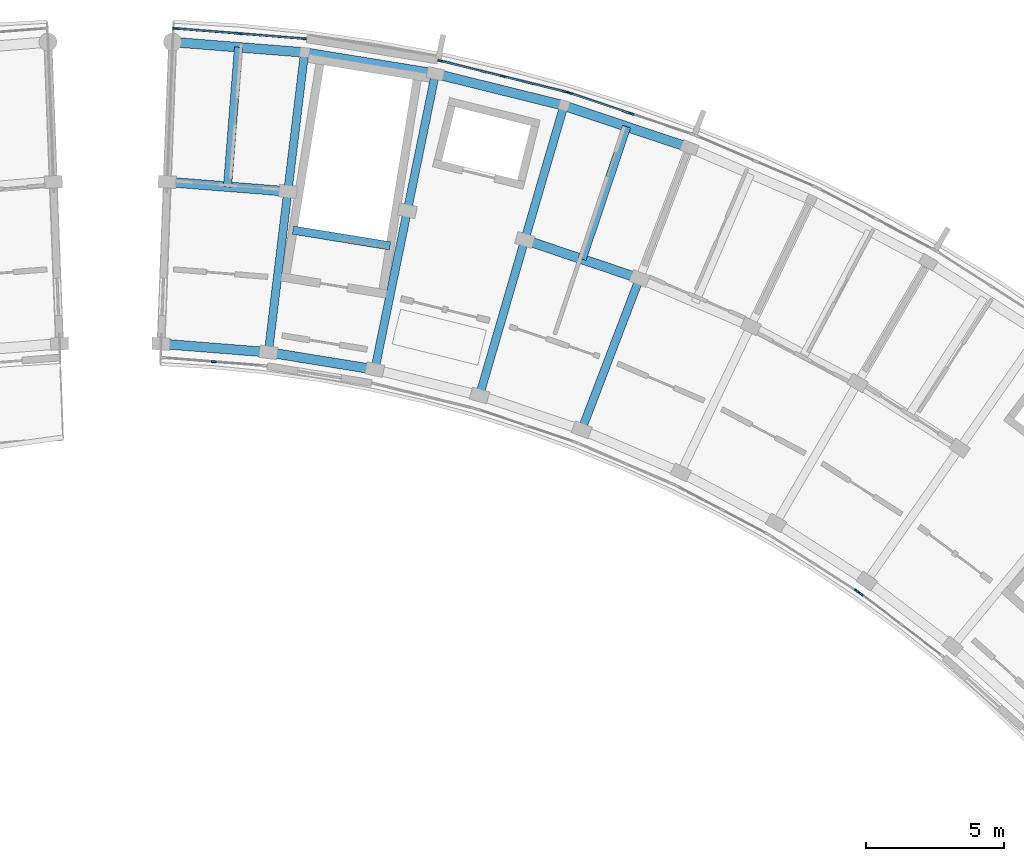
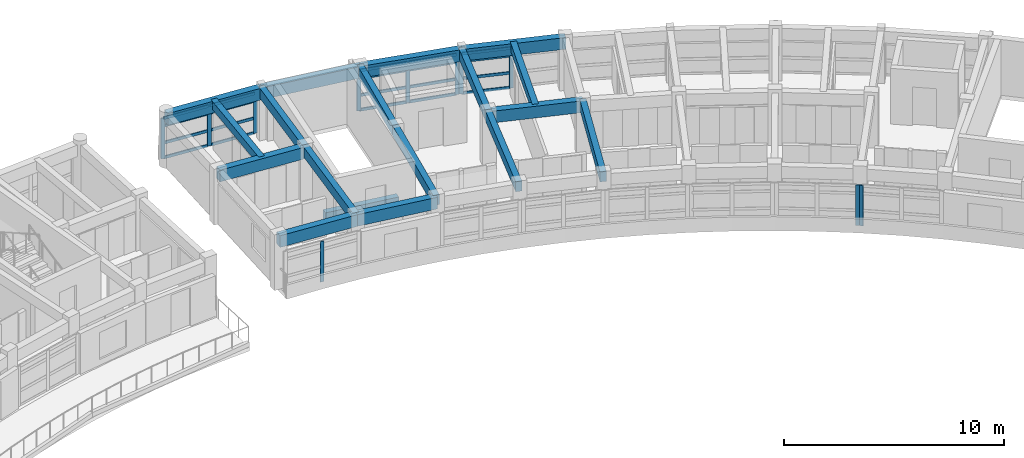
# One storey, part 6 of 23: 31 members, 18 beams, 6 elements without a shape of their own.
"""IFC4 building model written with IfcOpenShell, lengths in metres."""

from ifc_helpers import new_model, si_unit, direction, frame, origin, origin_2d, place, context, subcontext, project, spatial, rectangle, extrude, material, material_profile, profile_set, type_object, element, aggregate, save


model = new_model("IFC4")

# Units and contexts
model_context = context("Model", 3, precision=1e-05, world=origin(), true_north=direction((0.0, 1.0)))
body_context = subcontext(model_context, "Body", "Model", "MODEL_VIEW")
ifc_project = project(units=[si_unit("LENGTHUNIT", "METRE"), si_unit("AREAUNIT", "SQUARE_METRE"), si_unit("VOLUMEUNIT", "CUBIC_METRE"), si_unit("PLANEANGLEUNIT", "RADIAN"), si_unit("MASSUNIT", "GRAM", prefix="KILO")], contexts=[model_context])

# Site, building, storey
site_placement = place(None, origin())
site = spatial("IfcSite", under=ifc_project, at=site_placement, CompositionType="ELEMENT")
building_placement = place(site_placement, origin())
building = spatial("IfcBuilding", under=site, at=building_placement, Name="Zimvara Arc Housing Community", CompositionType="ELEMENT")
storey_placement = place(building_placement, frame((0.0, 0.0, 36.0)))
storey = spatial("IfcBuildingStorey", under=building, at=storey_placement, Name="L11", CompositionType="ELEMENT", Elevation=36.0)

# Beams
ifc_material_1 = material(Name="Concrete C40/50", Category="concrete")
ifc_material_profile_1 = material_profile(ifc_material_1, rectangle(XDim=0.300048828125, YDim=0.449951171875, at=origin_2d()), Name="RC 300x450")
ifc_profile_set_1 = profile_set([ifc_material_profile_1], Name="Concrete C40/50")
beam_type_1 = type_object("IfcBeamType", Name="BM-RC-300x450", PredefinedType="JOIST", material=ifc_profile_set_1)
for number, where, z_axis, x_axis, name in (
    (1, (49.2548828125, 98.08642578125, 2.695068359375), (0.079171686291, 0.99686099537, 0.0), (-0.99686099537, 0.079171686291, 0.0), "bm:blkB:L11:joist:b0"),
    (2, (62.1279296875, 95.453369140625, 2.695068359375), (0.318607669836, 0.947886677152, 0.0), (-0.947886677152, 0.318607669836, 0.0), "bm:blkB:L11:joist:b3"),
):
    element("IfcBeam", number, at=place(storey_placement, frame(where, z_axis=z_axis, x_axis=x_axis)), inside=storey, type_object=beam_type_1, Name=name, PredefinedType="JOIST", context=body_context, shape_type="SweptSolid", body=[
        extrude(rectangle(XDim=0.300048828125, YDim=0.449951171875, at=origin_2d()), origin(), (0.0, 0.0, 1.0), 5.07568359375),
    ])
ifc_material_2 = material(Name="Concrete C40/50", Category="concrete")
ifc_material_profile_2 = material_profile(ifc_material_2, rectangle(XDim=0.300048828125, YDim=0.5, at=origin_2d()), Name="RC 300x500")
ifc_profile_set_2 = profile_set([ifc_material_profile_2], Name="Concrete C40/50")
beam_type_2 = type_object("IfcBeamType", Name="BM-RC-300x500", PredefinedType="BEAM", material=ifc_profile_set_2)
beam_1_placement = place(storey_placement, frame((55.15771484375, 95.93701171875, -0.25), z_axis=(-0.987080057935, 0.160227835371, 0.0), x_axis=(-0.160227835371, -0.987080057935, 0.0)))
element("IfcBeam", 3, at=beam_1_placement, inside=storey, type_object=beam_type_2, Name="bm:stair_trim:ST-B1:L11:near", PredefinedType="BEAM", context=body_context, shape_type="SweptSolid", body=[
    extrude(rectangle(XDim=0.300048828125, YDim=0.5, at=origin_2d()), origin(), (0.0, 0.0, 1.0), 3.570068359375),
])
ifc_material_3 = material(Name="Concrete C40/50", Category="concrete")
ifc_material_profile_3 = material_profile(ifc_material_3, rectangle(XDim=0.300048828125, YDim=0.550048828125, at=origin_2d()), Name="RC 300x550")
ifc_profile_set_3 = profile_set([ifc_material_profile_3], Name="Concrete C40/50")
beam_type_3 = type_object("IfcBeamType", Name="BM-RC-300x550", PredefinedType="BEAM", material=ifc_profile_set_3)
beam_2_placement = place(storey_placement, frame((50.740234375, 92.074951171875, 2.64501953125), z_axis=(0.119827921695, 0.992794676246, 0.0), x_axis=(-0.992794676246, 0.119827921695, 0.0)))
element("IfcBeam", 4, at=beam_2_placement, inside=storey, type_object=beam_type_3, Name="bm:blkB:L11:rad:b1:r12", PredefinedType="BEAM", context=body_context, shape_type="SweptSolid", body=[
    extrude(rectangle(XDim=0.300048828125, YDim=0.550048828125, at=origin_2d()), origin(), (0.0, 0.0, 1.0), 5.880126953125),
])
beam_3_placement = place(storey_placement, frame((51.44482421875, 97.91259765625, 2.64501953125), z_axis=(0.119762990499, 0.99280251113, 0.0), x_axis=(-0.99280251113, 0.119762990499, 0.0)))
element("IfcBeam", 5, at=beam_3_placement, inside=storey, type_object=beam_type_3, Name="bm:blkB:L11:rad:b1:r23", PredefinedType="BEAM", context=body_context, shape_type="SweptSolid", body=[
    extrude(rectangle(XDim=0.300048828125, YDim=0.550048828125, at=origin_2d()), origin(), (0.0, 0.0, 1.0), 5.080078125),
])
beam_4_placement = place(storey_placement, frame((54.602783203125, 91.447998046875, 2.64501953125), z_axis=(0.200417973989, 0.979710485655, 0.0), x_axis=(-0.979710485655, 0.200417973989, 0.0)))
element("IfcBeam", 6, at=beam_4_placement, inside=storey, type_object=beam_type_3, Name="bm:blkB:L11:rad:b2:r12", PredefinedType="BEAM", context=body_context, shape_type="SweptSolid", body=[
    extrude(rectangle(XDim=0.300048828125, YDim=0.550048828125, at=origin_2d()), origin(), (0.0, 0.0, 1.0), 5.880126953125),
])
beam_5_placement = place(storey_placement, frame((55.78125, 97.208740234375, 2.64501953125), z_axis=(0.200411962389, 0.97971171542, 0.0), x_axis=(-0.97971171542, 0.200411962389, 0.0)))
element("IfcBeam", 7, at=beam_5_placement, inside=storey, type_object=beam_type_3, Name="bm:blkB:L11:rad:b2:r23", PredefinedType="BEAM", context=body_context, shape_type="SweptSolid", body=[
    extrude(rectangle(XDim=0.300048828125, YDim=0.550048828125, at=origin_2d()), origin(), (0.0, 0.0, 1.0), 5.079833984375),
])
beam_6_placement = place(storey_placement, frame((58.4013671875, 90.5078125, 2.64501953125), z_axis=(0.27967473749, 0.960094808449, 0.0), x_axis=(-0.960094808449, 0.27967473749, 0.0)))
element("IfcBeam", 8, at=beam_6_placement, inside=storey, type_object=beam_type_3, Name="bm:blkB:L11:rad:b3:r12", PredefinedType="BEAM", context=body_context, shape_type="SweptSolid", body=[
    extrude(rectangle(XDim=0.300048828125, YDim=0.550048828125, at=origin_2d()), origin(), (0.0, 0.0, 1.0), 5.880126953125),
])
beam_7_placement = place(storey_placement, frame((60.0458984375, 96.1533203125, 2.64501953125), z_axis=(0.279662254096, 0.960098444762, 0.0), x_axis=(-0.960098444762, 0.279662254096, 0.0)))
element("IfcBeam", 9, at=beam_7_placement, inside=storey, type_object=beam_type_3, Name="bm:blkB:L11:rad:b3:r23", PredefinedType="BEAM", context=body_context, shape_type="SweptSolid", body=[
    extrude(rectangle(XDim=0.300048828125, YDim=0.550048828125, at=origin_2d()), origin(), (0.0, 0.0, 1.0), 5.079833984375),
])
beam_8_placement = place(storey_placement, frame((62.110595703125, 89.260986328125, 2.64501953125), z_axis=(0.357036247742, 0.934090529766, 0.0), x_axis=(-0.934090529766, 0.357036247742, 0.0)))
element("IfcBeam", 10, at=beam_8_placement, inside=storey, type_object=beam_type_3, Name="bm:blkB:L11:rad:b4:r12", PredefinedType="BEAM", context=body_context, shape_type="SweptSolid", body=[
    extrude(rectangle(XDim=0.300048828125, YDim=0.550048828125, at=origin_2d()), origin(), (0.0, 0.0, 1.0), 5.8798828125),
])
ifc_material_4 = material(Name="Concrete C40/50", Category="concrete")
ifc_material_profile_4 = material_profile(ifc_material_4, rectangle(XDim=0.35009765625, YDim=0.64990234375, at=origin_2d()), Name="RC 350x650")
ifc_profile_set_4 = profile_set([ifc_material_profile_4], Name="Concrete C40/50")
beam_type_4 = type_object("IfcBeamType", Name="BM-RC-350x650", PredefinedType="BEAM", material=ifc_profile_set_4)
beam_9_placement = place(storey_placement, frame((46.839599609375, 92.384765625, 2.594970703125), z_axis=(0.99686054795, -0.079177319606, 0.0), x_axis=(0.079177319606, 0.99686054795, 0.0)))
element("IfcBeam", 11, at=beam_9_placement, inside=storey, type_object=beam_type_4, Name="bm:blkB:L11:chord:r1:b0", PredefinedType="BEAM", context=body_context, shape_type="SweptSolid", body=[
    extrude(rectangle(XDim=0.35009765625, YDim=0.64990234375, at=origin_2d()), origin(), (0.0, 0.0, 1.0), 3.912841796875),
])
beam_10_placement = place(storey_placement, frame((50.740234375, 92.074951171875, 2.594970703125), z_axis=(0.987081487371, -0.160219029111, 0.0), x_axis=(0.160219029111, 0.987081487371, 0.0)))
element("IfcBeam", 12, at=beam_10_placement, inside=storey, type_object=beam_type_4, Name="bm:blkB:L11:chord:r1:b1", PredefinedType="BEAM", context=body_context, shape_type="SweptSolid", body=[
    extrude(rectangle(XDim=0.35009765625, YDim=0.64990234375, at=origin_2d()), origin(), (0.0, 0.0, 1.0), 3.9130859375),
])
beam_11_placement = place(storey_placement, frame((47.065185546875, 98.26025390625, 2.594970703125), z_axis=(0.996864209836, -0.079131202119, 0.0), x_axis=(0.079131202119, 0.996864209836, 0.0)))
element("IfcBeam", 13, at=beam_11_placement, inside=storey, type_object=beam_type_4, Name="bm:blkB:L11:chord:r2:b0", PredefinedType="BEAM", context=body_context, shape_type="SweptSolid", body=[
    extrude(rectangle(XDim=0.35009765625, YDim=0.64990234375, at=origin_2d()), origin(), (0.0, 0.0, 1.0), 4.393310546875),
])
beam_12_placement = place(storey_placement, frame((60.0458984375, 96.1533203125, 2.594970703125), z_axis=(0.947868796036, -0.318660862832, 0.0), x_axis=(0.318660862832, 0.947868796036, 0.0)))
element("IfcBeam", 14, at=beam_12_placement, inside=storey, type_object=beam_type_4, Name="bm:blkB:L11:chord:r2:b3", PredefinedType="BEAM", context=body_context, shape_type="SweptSolid", body=[
    extrude(rectangle(XDim=0.35009765625, YDim=0.64990234375, at=origin_2d()), origin(), (0.0, 0.0, 1.0), 4.39306640625),
])
beam_13_placement = place(storey_placement, frame((47.26025390625, 103.336669921875, 2.594970703125), z_axis=(0.996861768207, -0.0791619548, 0.0), x_axis=(0.0791619548, 0.996861768207, 0.0)))
element("IfcBeam", 15, at=beam_13_placement, inside=storey, type_object=beam_type_4, Name="bm:blkB:L11:chord:r3:b0", PredefinedType="BEAM", context=body_context, shape_type="SweptSolid", body=[
    extrude(rectangle(XDim=0.35009765625, YDim=0.64990234375, at=origin_2d()), origin(), (0.0, 0.0, 1.0), 4.80810546875),
])
beam_14_placement = place(storey_placement, frame((52.05322265625, 102.9560546875, 2.594970703125), z_axis=(0.987076839731, -0.160247659784, 0.0), x_axis=(0.160247659784, 0.987076839731, 0.0)))
element("IfcBeam", 16, at=beam_14_placement, inside=storey, type_object=beam_type_4, Name="bm:blkB:L11:chord:r3:b1", PredefinedType="BEAM", context=body_context, shape_type="SweptSolid", body=[
    extrude(rectangle(XDim=0.35009765625, YDim=0.64990234375, at=origin_2d()), origin(), (0.0, 0.0, 1.0), 4.808349609375),
])
beam_15_placement = place(storey_placement, frame((56.79931640625, 102.185546875, 2.594970703125), z_axis=(0.970716235341, -0.240229037474, 0.0), x_axis=(0.240229037474, 0.970716235341, 0.0)))
element("IfcBeam", 17, at=beam_15_placement, inside=storey, type_object=beam_type_4, Name="bm:blkB:L11:chord:r3:b2", PredefinedType="BEAM", context=body_context, shape_type="SweptSolid", body=[
    extrude(rectangle(XDim=0.35009765625, YDim=0.64990234375, at=origin_2d()), origin(), (0.0, 0.0, 1.0), 4.80810546875),
])
beam_16_placement = place(storey_placement, frame((61.466552734375, 101.030517578125, 2.594970703125), z_axis=(0.947877948153, -0.31863363822, 0.0), x_axis=(0.31863363822, 0.947877948153, 0.0)))
element("IfcBeam", 18, at=beam_16_placement, inside=storey, type_object=beam_type_4, Name="bm:blkB:L11:chord:r3:b3", PredefinedType="BEAM", context=body_context, shape_type="SweptSolid", body=[
    extrude(rectangle(XDim=0.35009765625, YDim=0.64990234375, at=origin_2d()), origin(), (0.0, 0.0, 1.0), 4.807861328125),
])

# Curtain wall, member
ifc_material_5 = material(Name="Anodised Aluminium AW-6063", Category="aluminium")
curtain_wall_type_1 = type_object("IfcCurtainWallType", Name="CW-SYS-06", PredefinedType="USERDEFINED", material=ifc_material_5)
curtain_wall_1_placement = place(storey_placement, origin())
curtain_wall_1 = element("IfcCurtainWall", 19, at=curtain_wall_1_placement, inside=storey, type_object=curtain_wall_type_1, Name="cw:blkB:L11:in:b0", ObjectType="CURTAIN WALL", PredefinedType="USERDEFINED")
ifc_material_6 = material(Name="Anodised Aluminium AW-6063", Category="aluminium")
ifc_material_profile_5 = material_profile(ifc_material_6, rectangle(XDim=0.06494140625, YDim=0.179931640625, at=origin_2d()), Name="ALU 65x180")
ifc_profile_set_5 = profile_set([ifc_material_profile_5], Name="Anodised Aluminium AW-6063")
member_type_1 = type_object("IfcMemberType", Name="CWM-65x150", PredefinedType="MULLION", material=ifc_profile_set_5)
member_1_placement = place(storey_placement, frame((48.75048828125, 91.731689453125, 0.0), z_axis=(0.0, 0.0, 1.0), x_axis=(0.079155101851, 0.996862312384, 0.0)))
member_1 = element("IfcMember", 20, at=member_1_placement, type_object=member_type_1, Name="CW06 mullion 2", PredefinedType="MULLION", context=body_context, shape_type="SweptSolid", body=[
    extrude(rectangle(XDim=0.06494140625, YDim=0.179931640625, at=origin_2d()), origin(), (0.0, 0.0, 1.0), 2.25),
])
aggregate(curtain_wall_1, [member_1])

ifc_material_7 = material(Name="Anodised Aluminium AW-6063", Category="aluminium")
curtain_wall_type_2 = type_object("IfcCurtainWallType", Name="CW-SYS-08", PredefinedType="USERDEFINED", material=ifc_material_7)
curtain_wall_2_placement = place(storey_placement, origin())
curtain_wall_2 = element("IfcCurtainWall", 21, at=curtain_wall_2_placement, inside=storey, type_object=curtain_wall_type_2, Name="cw:blkB:L11:in:b6", ObjectType="CURTAIN WALL", PredefinedType="USERDEFINED")
member_2_placement = place(storey_placement, frame((72.093994140625, 83.4130859375, 0.0), z_axis=(0.0, 0.0, 1.0), x_axis=(0.539065115913, 0.842264092079, 0.0)))
member_2 = element("IfcMember", 22, at=member_2_placement, type_object=member_type_1, Name="CW08 mullion 3", PredefinedType="MULLION", context=body_context, shape_type="SweptSolid", body=[
    extrude(rectangle(XDim=0.06494140625, YDim=0.179931640625, at=origin_2d()), origin(), (0.0, 0.0, 1.0), 2.25),
])
aggregate(curtain_wall_2, [member_2])

ifc_material_8 = material(Name="Anodised Aluminium AW-6063", Category="aluminium")
curtain_wall_type_3 = type_object("IfcCurtainWallType", Name="CW-SYS-02", PredefinedType="USERDEFINED", material=ifc_material_8)
curtain_wall_3_placement = place(storey_placement, origin())
curtain_wall_3 = element("IfcCurtainWall", 23, at=curtain_wall_3_placement, inside=storey, type_object=curtain_wall_type_3, Name="cw:blkB:L11:in:b7", ObjectType="CURTAIN WALL", PredefinedType="USERDEFINED")
member_3_placement = place(storey_placement, frame((72.245361328125, 83.30712890625, 0.0), z_axis=(0.0, 0.0, 1.0), x_axis=(0.605987809503, 0.795473930895, 0.0)))
member_3 = element("IfcMember", 24, at=member_3_placement, type_object=member_type_1, Name="CW02 mullion 1", PredefinedType="MULLION", context=body_context, shape_type="SweptSolid", body=[
    extrude(rectangle(XDim=0.06494140625, YDim=0.179931640625, at=origin_2d()), origin(), (0.0, 0.0, 1.0), 2.25),
])
aggregate(curtain_wall_3, [member_3])

# Curtain wall, members
ifc_material_9 = material(Name="Anodised Aluminium AW-6063", Category="aluminium")
curtain_wall_type_4 = type_object("IfcCurtainWallType", Name="CW-SYS-05", PredefinedType="USERDEFINED", material=ifc_material_9)
curtain_wall_4_placement = place(storey_placement, origin())
curtain_wall_4 = element("IfcCurtainWall", 25, at=curtain_wall_4_placement, inside=storey, type_object=curtain_wall_type_4, Name="cw:blkB:L11:out:b0", ObjectType="CURTAIN WALL", PredefinedType="USERDEFINED")
ifc_material_10 = material(Name="Anodised Aluminium AW-6063", Category="aluminium")
ifc_material_profile_6 = material_profile(ifc_material_10, rectangle(XDim=0.06494140625, YDim=0.195068359375, at=origin_2d()), Name="ALU 65x195")
ifc_profile_set_6 = profile_set([ifc_material_profile_6], Name="Anodised Aluminium AW-6063")
member_type_2 = type_object("IfcMemberType", Name="CWM-65x180", PredefinedType="MULLION", material=ifc_profile_set_6)
member_4_placement = place(storey_placement, frame((47.37158203125, 103.828857421875, 0.0), z_axis=(0.0, 0.0, 1.0), x_axis=(0.079153759607, 0.996862418963, 0.0)))
member_4 = element("IfcMember", 26, at=member_4_placement, type_object=member_type_2, Name="CW05 mullion 1", PredefinedType="MULLION", context=body_context, shape_type="SweptSolid", body=[
    extrude(rectangle(XDim=0.06494140625, YDim=0.195068359375, at=origin_2d()), origin(), (0.0, 0.0, 1.0), 2.25),
])
member_5_placement = place(storey_placement, frame((49.6962890625, 103.644287109375, 0.0), z_axis=(0.0, 0.0, 1.0), x_axis=(0.079153759607, 0.996862418963, 0.0)))
member_5 = element("IfcMember", 27, at=member_5_placement, type_object=member_type_2, Name="CW05 mullion 2", PredefinedType="MULLION", context=body_context, shape_type="SweptSolid", body=[
    extrude(rectangle(XDim=0.06494140625, YDim=0.195068359375, at=origin_2d()), origin(), (0.0, 0.0, 1.0), 2.25),
])
member_6_placement = place(storey_placement, frame((52.02099609375, 103.459716796875, 0.0), z_axis=(0.0, 0.0, 1.0), x_axis=(0.079153759607, 0.996862418963, 0.0)))
member_6 = element("IfcMember", 28, at=member_6_placement, type_object=member_type_2, Name="CW05 mullion 3", PredefinedType="MULLION", context=body_context, shape_type="SweptSolid", body=[
    extrude(rectangle(XDim=0.06494140625, YDim=0.195068359375, at=origin_2d()), origin(), (0.0, 0.0, 1.0), 2.25),
])

ifc_material_11 = material(Name="Anodised Aluminium AW-6063", Category="aluminium")
curtain_wall_type_5 = type_object("IfcCurtainWallType", Name="CW-SYS-07", PredefinedType="USERDEFINED", material=ifc_material_11)
curtain_wall_5_placement = place(storey_placement, origin())
curtain_wall_5 = element("IfcCurtainWall", 29, at=curtain_wall_5_placement, inside=storey, type_object=curtain_wall_type_5, Name="cw:blkB:L11:out:b2", ObjectType="CURTAIN WALL", PredefinedType="USERDEFINED")
member_7_placement = place(storey_placement, frame((56.9892578125, 102.6533203125, 0.0), z_axis=(0.0, 0.0, 1.0), x_axis=(0.240229711131, 0.970716068627, 0.0)))
member_7 = element("IfcMember", 30, at=member_7_placement, type_object=member_type_2, Name="CW07 mullion 1", PredefinedType="MULLION", context=body_context, shape_type="SweptSolid", body=[
    extrude(rectangle(XDim=0.06494140625, YDim=0.195068359375, at=origin_2d()), origin(), (0.0, 0.0, 1.0), 2.25),
])
member_8_placement = place(storey_placement, frame((59.2529296875, 102.093017578125, 0.0), z_axis=(0.0, 0.0, 1.0), x_axis=(0.240229711131, 0.970716068627, 0.0)))
member_8 = element("IfcMember", 31, at=member_8_placement, type_object=member_type_2, Name="CW07 mullion 2", PredefinedType="MULLION", context=body_context, shape_type="SweptSolid", body=[
    extrude(rectangle(XDim=0.06494140625, YDim=0.195068359375, at=origin_2d()), origin(), (0.0, 0.0, 1.0), 2.25),
])
member_9_placement = place(storey_placement, frame((61.5166015625, 101.532958984375, 0.0), z_axis=(0.0, 0.0, 1.0), x_axis=(0.240229711131, 0.970716068627, 0.0)))
member_9 = element("IfcMember", 32, at=member_9_placement, type_object=member_type_2, Name="CW07 mullion 3", PredefinedType="MULLION", context=body_context, shape_type="SweptSolid", body=[
    extrude(rectangle(XDim=0.06494140625, YDim=0.195068359375, at=origin_2d()), origin(), (0.0, 0.0, 1.0), 2.25),
])

ifc_material_12 = material(Name="Anodised Aluminium AW-6063", Category="aluminium")
curtain_wall_type_6 = type_object("IfcCurtainWallType", Name="CW-SYS-01", PredefinedType="USERDEFINED", material=ifc_material_12)
curtain_wall_6_placement = place(storey_placement, origin())
curtain_wall_6 = element("IfcCurtainWall", 33, at=curtain_wall_6_placement, inside=storey, type_object=curtain_wall_type_6, Name="cw:blkB:L11:out:b3", ObjectType="CURTAIN WALL", PredefinedType="USERDEFINED")
member_10_placement = place(storey_placement, frame((61.694091796875, 101.481201171875, 0.0), z_axis=(0.0, 0.0, 1.0), x_axis=(0.318628583921, 0.947879647164, 0.0)))
member_10 = element("IfcMember", 34, at=member_10_placement, type_object=member_type_2, Name="CW01 mullion 1", PredefinedType="MULLION", context=body_context, shape_type="SweptSolid", body=[
    extrude(rectangle(XDim=0.06494140625, YDim=0.195068359375, at=origin_2d()), origin(), (0.0, 0.0, 1.0), 2.25),
])
member_11_placement = place(storey_placement, frame((63.904296875, 100.73828125, 0.0), z_axis=(0.0, 0.0, 1.0), x_axis=(0.318628583921, 0.947879647164, 0.0)))
member_11 = element("IfcMember", 35, at=member_11_placement, type_object=member_type_2, Name="CW01 mullion 2", PredefinedType="MULLION", context=body_context, shape_type="SweptSolid", body=[
    extrude(rectangle(XDim=0.06494140625, YDim=0.195068359375, at=origin_2d()), origin(), (0.0, 0.0, 1.0), 2.25),
])

# Member
ifc_material_13 = material(Name="Anodised Aluminium AW-6063", Category="aluminium")
ifc_material_profile_7 = material_profile(ifc_material_13, rectangle(XDim=0.06494140625, YDim=0.155029296875, at=origin_2d()), Name="ALU 65x155")
ifc_profile_set_7 = profile_set([ifc_material_profile_7], Name="Anodised Aluminium AW-6063")
member_type_3 = type_object("IfcMemberType", Name="CWT-65x140", PredefinedType="USERDEFINED", material=ifc_profile_set_7)
member_12_placement = place(storey_placement, frame((47.404052734375, 103.826416015625, 0.032470703125), z_axis=(0.996862021022, -0.079158771116, 0.0), x_axis=(0.079158771116, 0.996862021022, 0.0)))
member_12 = element("IfcMember", 36, at=member_12_placement, type_object=member_type_3, Name="CW05 transom 1.1", ObjectType="TRANSOM", PredefinedType="USERDEFINED", context=body_context, shape_type="SweptSolid", body=[
    extrude(rectangle(XDim=0.06494140625, YDim=0.155029296875, at=origin_2d()), origin(), (0.0, 0.0, 1.0), 2.266845703125),
])

member_13_placement = place(storey_placement, frame((47.404052734375, 103.826416015625, 0.85009765625), z_axis=(0.996862021022, -0.079158771116, 0.0), x_axis=(0.079158771116, 0.996862021022, 0.0)))
member_13 = element("IfcMember", 37, at=member_13_placement, type_object=member_type_3, Name="CW05 transom 1.2", ObjectType="TRANSOM", PredefinedType="USERDEFINED", context=body_context, shape_type="SweptSolid", body=[
    extrude(rectangle(XDim=0.06494140625, YDim=0.155029296875, at=origin_2d()), origin(), (0.0, 0.0, 1.0), 2.266845703125),
])

member_14_placement = place(storey_placement, frame((47.404052734375, 103.826416015625, 1.800048828125), z_axis=(0.996862021022, -0.079158771116, 0.0), x_axis=(0.079158771116, 0.996862021022, 0.0)))
member_14 = element("IfcMember", 38, at=member_14_placement, type_object=member_type_3, Name="CW05 transom 1.3", ObjectType="TRANSOM", PredefinedType="USERDEFINED", context=body_context, shape_type="SweptSolid", body=[
    extrude(rectangle(XDim=0.06494140625, YDim=0.155029296875, at=origin_2d()), origin(), (0.0, 0.0, 1.0), 2.266845703125),
])

member_15_placement = place(storey_placement, frame((47.404052734375, 103.826416015625, 2.217529296875), z_axis=(0.996862021022, -0.079158771116, 0.0), x_axis=(0.079158771116, 0.996862021022, 0.0)))
member_15 = element("IfcMember", 39, at=member_15_placement, type_object=member_type_3, Name="CW05 transom 1.4", ObjectType="TRANSOM", PredefinedType="USERDEFINED", context=body_context, shape_type="SweptSolid", body=[
    extrude(rectangle(XDim=0.06494140625, YDim=0.155029296875, at=origin_2d()), origin(), (0.0, 0.0, 1.0), 2.266845703125),
])

member_16_placement = place(storey_placement, frame((49.728759765625, 103.641845703125, 0.032470703125), z_axis=(0.996862021022, -0.079158771116, 0.0), x_axis=(0.079158771116, 0.996862021022, 0.0)))
member_16 = element("IfcMember", 40, at=member_16_placement, type_object=member_type_3, Name="CW05 transom 2.1", ObjectType="TRANSOM", PredefinedType="USERDEFINED", context=body_context, shape_type="SweptSolid", body=[
    extrude(rectangle(XDim=0.06494140625, YDim=0.155029296875, at=origin_2d()), origin(), (0.0, 0.0, 1.0), 2.266845703125),
])

member_17_placement = place(storey_placement, frame((49.728759765625, 103.641845703125, 0.85009765625), z_axis=(0.996862021022, -0.079158771116, 0.0), x_axis=(0.079158771116, 0.996862021022, 0.0)))
member_17 = element("IfcMember", 41, at=member_17_placement, type_object=member_type_3, Name="CW05 transom 2.2", ObjectType="TRANSOM", PredefinedType="USERDEFINED", context=body_context, shape_type="SweptSolid", body=[
    extrude(rectangle(XDim=0.06494140625, YDim=0.155029296875, at=origin_2d()), origin(), (0.0, 0.0, 1.0), 2.266845703125),
])

member_18_placement = place(storey_placement, frame((49.728759765625, 103.641845703125, 1.800048828125), z_axis=(0.996862021022, -0.079158771116, 0.0), x_axis=(0.079158771116, 0.996862021022, 0.0)))
member_18 = element("IfcMember", 42, at=member_18_placement, type_object=member_type_3, Name="CW05 transom 2.3", ObjectType="TRANSOM", PredefinedType="USERDEFINED", context=body_context, shape_type="SweptSolid", body=[
    extrude(rectangle(XDim=0.06494140625, YDim=0.155029296875, at=origin_2d()), origin(), (0.0, 0.0, 1.0), 2.266845703125),
])

member_19_placement = place(storey_placement, frame((49.728759765625, 103.641845703125, 2.217529296875), z_axis=(0.996862021022, -0.079158771116, 0.0), x_axis=(0.079158771116, 0.996862021022, 0.0)))
member_19 = element("IfcMember", 43, at=member_19_placement, type_object=member_type_3, Name="CW05 transom 2.4", ObjectType="TRANSOM", PredefinedType="USERDEFINED", context=body_context, shape_type="SweptSolid", body=[
    extrude(rectangle(XDim=0.06494140625, YDim=0.155029296875, at=origin_2d()), origin(), (0.0, 0.0, 1.0), 2.266845703125),
])

aggregate(curtain_wall_4, [member_4, member_5, member_6, member_12, member_13, member_14, member_15, member_16, member_17, member_18, member_19])

member_20_placement = place(storey_placement, frame((57.020751953125, 102.6455078125, 0.032470703125), z_axis=(0.970703721793, -0.240279596507, 0.0), x_axis=(0.240279596507, 0.970703721793, 0.0)))
member_20 = element("IfcMember", 44, at=member_20_placement, type_object=member_type_3, Name="CW07 transom 1.1", ObjectType="TRANSOM", PredefinedType="USERDEFINED", context=body_context, shape_type="SweptSolid", body=[
    extrude(rectangle(XDim=0.06494140625, YDim=0.155029296875, at=origin_2d()), origin(), (0.0, 0.0, 1.0), 2.266845703125),
])

member_21_placement = place(storey_placement, frame((57.020751953125, 102.6455078125, 0.85009765625), z_axis=(0.970703721793, -0.240279596507, 0.0), x_axis=(0.240279596507, 0.970703721793, 0.0)))
member_21 = element("IfcMember", 45, at=member_21_placement, type_object=member_type_3, Name="CW07 transom 1.2", ObjectType="TRANSOM", PredefinedType="USERDEFINED", context=body_context, shape_type="SweptSolid", body=[
    extrude(rectangle(XDim=0.06494140625, YDim=0.155029296875, at=origin_2d()), origin(), (0.0, 0.0, 1.0), 2.266845703125),
])

member_22_placement = place(storey_placement, frame((57.020751953125, 102.6455078125, 1.800048828125), z_axis=(0.970703721793, -0.240279596507, 0.0), x_axis=(0.240279596507, 0.970703721793, 0.0)))
member_22 = element("IfcMember", 46, at=member_22_placement, type_object=member_type_3, Name="CW07 transom 1.3", ObjectType="TRANSOM", PredefinedType="USERDEFINED", context=body_context, shape_type="SweptSolid", body=[
    extrude(rectangle(XDim=0.06494140625, YDim=0.155029296875, at=origin_2d()), origin(), (0.0, 0.0, 1.0), 2.266845703125),
])

member_23_placement = place(storey_placement, frame((57.020751953125, 102.6455078125, 2.217529296875), z_axis=(0.970703721793, -0.240279596507, 0.0), x_axis=(0.240279596507, 0.970703721793, 0.0)))
member_23 = element("IfcMember", 47, at=member_23_placement, type_object=member_type_3, Name="CW07 transom 1.4", ObjectType="TRANSOM", PredefinedType="USERDEFINED", context=body_context, shape_type="SweptSolid", body=[
    extrude(rectangle(XDim=0.06494140625, YDim=0.155029296875, at=origin_2d()), origin(), (0.0, 0.0, 1.0), 2.266845703125),
])

member_24_placement = place(storey_placement, frame((59.284423828125, 102.085205078125, 0.032470703125), z_axis=(0.970728837212, -0.240178110172, 0.0), x_axis=(0.240178110172, 0.970728837212, 0.0)))
member_24 = element("IfcMember", 48, at=member_24_placement, type_object=member_type_3, Name="CW07 transom 2.1", ObjectType="TRANSOM", PredefinedType="USERDEFINED", context=body_context, shape_type="SweptSolid", body=[
    extrude(rectangle(XDim=0.06494140625, YDim=0.155029296875, at=origin_2d()), origin(), (0.0, 0.0, 1.0), 2.266845703125),
])

member_25_placement = place(storey_placement, frame((59.284423828125, 102.085205078125, 0.85009765625), z_axis=(0.970728837212, -0.240178110172, 0.0), x_axis=(0.240178110172, 0.970728837212, 0.0)))
member_25 = element("IfcMember", 49, at=member_25_placement, type_object=member_type_3, Name="CW07 transom 2.2", ObjectType="TRANSOM", PredefinedType="USERDEFINED", context=body_context, shape_type="SweptSolid", body=[
    extrude(rectangle(XDim=0.06494140625, YDim=0.155029296875, at=origin_2d()), origin(), (0.0, 0.0, 1.0), 2.266845703125),
])

member_26_placement = place(storey_placement, frame((59.284423828125, 102.085205078125, 1.800048828125), z_axis=(0.970728837212, -0.240178110172, 0.0), x_axis=(0.240178110172, 0.970728837212, 0.0)))
member_26 = element("IfcMember", 50, at=member_26_placement, type_object=member_type_3, Name="CW07 transom 2.3", ObjectType="TRANSOM", PredefinedType="USERDEFINED", context=body_context, shape_type="SweptSolid", body=[
    extrude(rectangle(XDim=0.06494140625, YDim=0.155029296875, at=origin_2d()), origin(), (0.0, 0.0, 1.0), 2.266845703125),
])

member_27_placement = place(storey_placement, frame((59.284423828125, 102.085205078125, 2.217529296875), z_axis=(0.970728837212, -0.240178110172, 0.0), x_axis=(0.240178110172, 0.970728837212, 0.0)))
member_27 = element("IfcMember", 51, at=member_27_placement, type_object=member_type_3, Name="CW07 transom 2.4", ObjectType="TRANSOM", PredefinedType="USERDEFINED", context=body_context, shape_type="SweptSolid", body=[
    extrude(rectangle(XDim=0.06494140625, YDim=0.155029296875, at=origin_2d()), origin(), (0.0, 0.0, 1.0), 2.266845703125),
])

aggregate(curtain_wall_5, [member_7, member_8, member_9, member_20, member_21, member_22, member_23, member_24, member_25, member_26, member_27])

member_28_placement = place(storey_placement, frame((61.724853515625, 101.470947265625, 0.032470703125), z_axis=(0.947861605379, -0.318682250916, 0.0), x_axis=(0.318682250916, 0.947861605379, 0.0)))
member_28 = element("IfcMember", 52, at=member_28_placement, type_object=member_type_3, Name="CW01 transom 1.1", ObjectType="TRANSOM", PredefinedType="USERDEFINED", context=body_context, shape_type="SweptSolid", body=[
    extrude(rectangle(XDim=0.06494140625, YDim=0.155029296875, at=origin_2d()), origin(), (0.0, 0.0, 1.0), 2.266845703125),
])

member_29_placement = place(storey_placement, frame((61.724853515625, 101.470947265625, 0.85009765625), z_axis=(0.947861605379, -0.318682250916, 0.0), x_axis=(0.318682250916, 0.947861605379, 0.0)))
member_29 = element("IfcMember", 53, at=member_29_placement, type_object=member_type_3, Name="CW01 transom 1.2", ObjectType="TRANSOM", PredefinedType="USERDEFINED", context=body_context, shape_type="SweptSolid", body=[
    extrude(rectangle(XDim=0.06494140625, YDim=0.155029296875, at=origin_2d()), origin(), (0.0, 0.0, 1.0), 2.266845703125),
])

member_30_placement = place(storey_placement, frame((61.724853515625, 101.470947265625, 1.800048828125), z_axis=(0.947861605379, -0.318682250916, 0.0), x_axis=(0.318682250916, 0.947861605379, 0.0)))
member_30 = element("IfcMember", 54, at=member_30_placement, type_object=member_type_3, Name="CW01 transom 1.3", ObjectType="TRANSOM", PredefinedType="USERDEFINED", context=body_context, shape_type="SweptSolid", body=[
    extrude(rectangle(XDim=0.06494140625, YDim=0.155029296875, at=origin_2d()), origin(), (0.0, 0.0, 1.0), 2.266845703125),
])

member_31_placement = place(storey_placement, frame((61.724853515625, 101.470947265625, 2.217529296875), z_axis=(0.947861605379, -0.318682250916, 0.0), x_axis=(0.318682250916, 0.947861605379, 0.0)))
member_31 = element("IfcMember", 55, at=member_31_placement, type_object=member_type_3, Name="CW01 transom 1.4", ObjectType="TRANSOM", PredefinedType="USERDEFINED", context=body_context, shape_type="SweptSolid", body=[
    extrude(rectangle(XDim=0.06494140625, YDim=0.155029296875, at=origin_2d()), origin(), (0.0, 0.0, 1.0), 2.266845703125),
])

aggregate(curtain_wall_6, [member_10, member_11, member_28, member_29, member_30, member_31])

save(model, "model.ifc")
